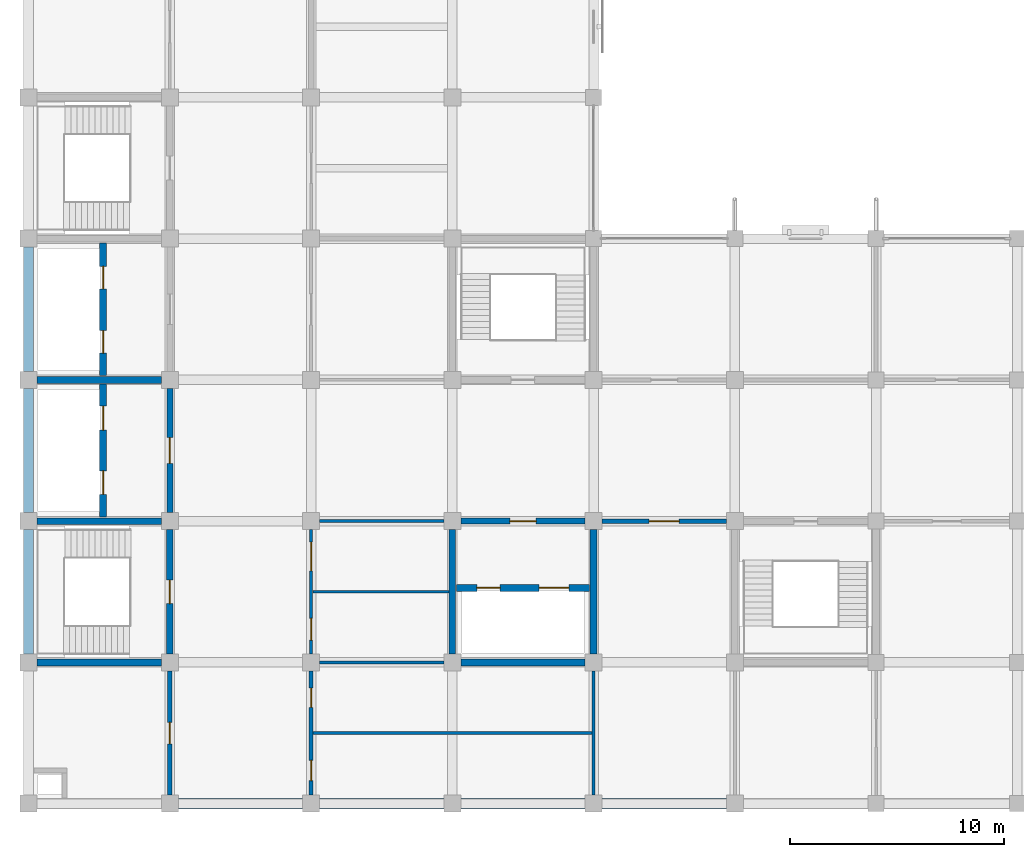
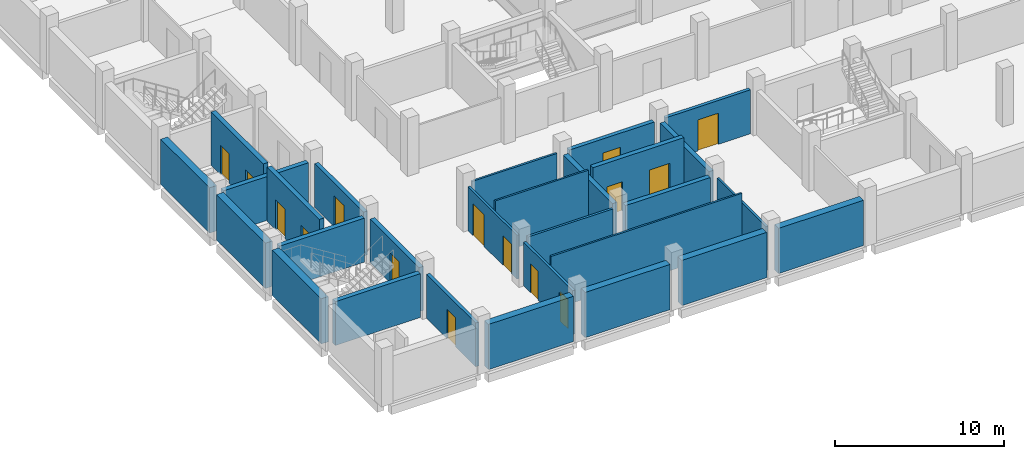
# One storey, part 10 of 18: 28 walls, 15 doors, 15 openings.
"""IFC4 building model written with IfcOpenShell, lengths in metres."""

from ifc_helpers import new_model, si_unit, direction, frame, frame_2d, origin, place, context, subcontext, project, spatial, rectangle, extrude, material, layer, layer_set, type_object, element, fill, save


model = new_model("IFC4")

# Units and contexts
model_context = context("Model", 3, precision=1e-05, world=origin(), true_north=direction((0.0, 1.0)))
body_context = subcontext(model_context, "Body", "Model", "MODEL_VIEW")
ifc_project = project(units=[si_unit("LENGTHUNIT", "METRE"), si_unit("AREAUNIT", "SQUARE_METRE"), si_unit("VOLUMEUNIT", "CUBIC_METRE"), si_unit("PLANEANGLEUNIT", "RADIAN"), si_unit("MASSUNIT", "GRAM", prefix="KILO")], contexts=[model_context])

# Site, building, storey
site_placement = place(None, origin())
site = spatial("IfcSite", under=ifc_project, at=site_placement, CompositionType="ELEMENT")
building_placement = place(site_placement, origin())
building = spatial("IfcBuilding", under=site, at=building_placement, Name="Rusizi Kubbe Research Institute", CompositionType="ELEMENT")
storey_placement = place(building_placement, frame((0.0, 0.0, 22.800048828125)))
storey = spatial("IfcBuildingStorey", under=building, at=storey_placement, Name="L05", CompositionType="ELEMENT", Elevation=22.800048828125)

# Walls
ifc_material_1 = material(Name="Concrete C45/55", Category="concrete")
ifc_layer_1 = layer(ifc_material_1, 0.31494140625)
ifc_layer_set_1 = layer_set([ifc_layer_1], Name="Concrete C45/55")
wall_type_1 = type_object("IfcWallType", Name="CRW-02", PredefinedType="SHEAR", material=ifc_layer_set_1)
for number, where, z_axis, x_axis, name in (
    (1, (0.39990234375, 6.60009765625, 0.0), (0.0, 0.0, 1.0), (1.0, 0.0, 0.0), "Stair Core Shear Wall ST1 L05 S"),
    (2, (0.39990234375, 13.199951171875, 0.0), (0.0, 0.0, 1.0), (1.0, 0.0, 0.0), "Stair Core Shear Wall ST1 L05 N"),
):
    element("IfcWall", number, at=place(storey_placement, frame(where, z_axis=z_axis, x_axis=x_axis)), inside=storey, type_object=wall_type_1, Name=name, PredefinedType="SHEAR", context=body_context, shape_type="SweptSolid", body=[
        extrude(rectangle(XDim=5.800048828125, YDim=0.31494140625, at=frame_2d((2.89990234375, 0.0))), origin(), (0.0, 0.0, 1.0), 3.169921875),
    ])

# Wall, opening, door
wall_1_placement = place(storey_placement, frame((6.60009765625, 7.0, 0.0), z_axis=(0.0, 0.0, 1.0), x_axis=(0.0, 1.0, 0.0)))
wall_1 = element("IfcWall", 3, at=wall_1_placement, inside=storey, type_object=wall_type_1, Name="Stair Core Shear Wall ST1 L05 E", PredefinedType="SHEAR", context=body_context, shape_type="SweptSolid", body=[
    extrude(rectangle(XDim=5.800048828125, YDim=0.31494140625, at=frame_2d((2.89990234375, 0.0))), origin(), (0.0, 0.0, 1.0), 3.169921875),
])
opening_1_placement = place(wall_1_placement, frame((2.35009765625, 0.0, 0.0)))
opening_1 = element("IfcOpeningElement", 4, at=opening_1_placement, cuts=wall_1, Name="Opening D-01", PredefinedType="OPENING", context=body_context, shape_type="SweptSolid", body=[
    extrude(rectangle(XDim=1.10009765625, YDim=2.14990234375, at=frame_2d((0.550048828125, 1.074951171875))), frame((0.0, 0.16748046875, 0.0), z_axis=(0.0, -1.0, 0.0), x_axis=(1.0, 0.0, 0.0)), (0.0, 0.0, 1.0), 0.3349609375),
])
ifc_material_2 = material(Name="Fire-Rated Steel Frame and Acoustic Timber Leaf", Category="wood")
door_type_1 = type_object("IfcDoorType", Name="ID-STAIR-110", OperationType="NOTDEFINED", PredefinedType="DOOR", material=ifc_material_2)
door_1_placement = place(opening_1_placement, origin())
door_1 = element("IfcDoor", 5, at=door_1_placement, inside=storey, type_object=door_type_1, Name="Exit Stair Door ST1 L05", OperationType="SINGLE_SWING_LEFT", OverallHeight=2.14990234375, OverallWidth=1.10009765625, PredefinedType="DOOR", context=body_context, shape_type="SweptSolid", body=[
    extrude(rectangle(XDim=1.10009765625, YDim=2.14990234375, at=frame_2d((0.550048828125, 1.074951171875))), frame((0.0, 0.02490234375, 0.0), z_axis=(0.0, -1.0, 0.0), x_axis=(1.0, 0.0, 0.0)), (0.0, 0.0, 1.0), 0.050048828125),
])
fill(opening_1, door_1)

# Walls
for number, where, z_axis, x_axis, name in (
    (6, (0.39990234375, 19.800048828125, 0.0), (0.0, 0.0, 1.0), (1.0, 0.0, 0.0), "Lift Core Divider Wall (0,2-3) L05"),
    (7, (20.199951171875, 6.60009765625, 0.0), (0.0, 0.0, 1.0), (1.0, 0.0, 0.0), "Lab Lift Core Wall S (3,1) L05"),
    (8, (19.800048828125, 7.0, 0.0), (0.0, 0.0, 1.0), (0.0, 1.0, 0.0), "Lab Lift Core Wall W (3,1) L05"),
    (9, (26.39990234375, 7.0, 0.0), (0.0, 0.0, 1.0), (0.0, 1.0, 0.0), "Lab Lift Core Wall E (3,1) L05"),
):
    element("IfcWall", number, at=place(storey_placement, frame(where, z_axis=z_axis, x_axis=x_axis)), inside=storey, type_object=wall_type_1, Name=name, PredefinedType="SHEAR", context=body_context, shape_type="SweptSolid", body=[
        extrude(rectangle(XDim=5.800048828125, YDim=0.31494140625, at=frame_2d((2.89990234375, 0.0))), origin(), (0.0, 0.0, 1.0), 3.169921875),
    ])

# Wall, openings, doors
wall_2_placement = place(storey_placement, frame((3.47998046875, 13.39990234375, 0.0), z_axis=(0.0, 0.0, 1.0), x_axis=(0.0, 1.0, 0.0)))
wall_2 = element("IfcWall", 10, at=wall_2_placement, inside=storey, type_object=wall_type_1, Name="Firefighting Lift Shaft Front Wall L05", PredefinedType="SHEAR", context=body_context, shape_type="SweptSolid", body=[
    extrude(rectangle(XDim=6.2001953125, YDim=0.31494140625, at=frame_2d((3.10009765625, 0.0))), origin(), (0.0, 0.0, 1.0), 3.869873046875),
])
opening_2_placement = place(wall_2_placement, frame((1.050048828125, 0.0, 0.0)))
opening_2 = element("IfcOpeningElement", 11, at=opening_2_placement, cuts=wall_2, Name="Opening LD-01", PredefinedType="OPENING", context=body_context, shape_type="SweptSolid", body=[
    extrude(rectangle(XDim=1.10009765625, YDim=2.14990234375, at=frame_2d((0.550048828125, 1.074951171875))), frame((0.0, 0.16748046875, 0.0), z_axis=(0.0, -1.0, 0.0), x_axis=(1.0, 0.0, 0.0)), (0.0, 0.0, 1.0), 0.3349609375),
])
opening_3_placement = place(wall_2_placement, frame((4.050048828125, 0.0, 0.0)))
opening_3 = element("IfcOpeningElement", 12, at=opening_3_placement, cuts=wall_2, Name="Opening LD-02", PredefinedType="OPENING", context=body_context, shape_type="SweptSolid", body=[
    extrude(rectangle(XDim=1.1201171875, YDim=2.14990234375, at=frame_2d((0.56005859375, 1.074951171875))), frame((0.0, 0.16748046875, 0.0), z_axis=(0.0, -1.0, 0.0), x_axis=(1.0, 0.0, 0.0)), (0.0, 0.0, 1.0), 0.3349609375),
])
ifc_material_3 = material(Name="Brushed Stainless Steel Sliding Door", Category="steel")
door_type_2 = type_object("IfcDoorType", Name="LD-01", OperationType="DOUBLE_DOOR_SLIDING", PredefinedType="USERDEFINED", material=ifc_material_3)
door_2_placement = place(opening_2_placement, origin())
door_2 = element("IfcDoor", 13, at=door_2_placement, inside=storey, type_object=door_type_2, Name="Lift Landing Sliding Door FL1 L05", ObjectType="SLIDING DOOR", OperationType="DOUBLE_DOOR_SLIDING", OverallHeight=2.14990234375, OverallWidth=1.10009765625, PredefinedType="USERDEFINED", context=body_context, shape_type="SweptSolid", body=[
    extrude(rectangle(XDim=1.10009765625, YDim=2.14990234375, at=frame_2d((0.550048828125, 1.074951171875))), frame((0.0, 0.02490234375, 0.0), z_axis=(0.0, -1.0, 0.0), x_axis=(1.0, 0.0, 0.0)), (0.0, 0.0, 1.0), 0.050048828125),
])
fill(opening_2, door_2)
ifc_material_4 = material(Name="Brushed Stainless Steel Sliding Door", Category="steel")
door_type_3 = type_object("IfcDoorType", Name="LD-02", OperationType="DOUBLE_DOOR_SLIDING", PredefinedType="USERDEFINED", material=ifc_material_4)
door_3_placement = place(opening_3_placement, origin())
door_3 = element("IfcDoor", 14, at=door_3_placement, inside=storey, type_object=door_type_3, Name="Lift Landing Sliding Door FL2 L05", ObjectType="SLIDING DOOR", OperationType="DOUBLE_DOOR_SLIDING", OverallHeight=2.14990234375, OverallWidth=1.1201171875, PredefinedType="USERDEFINED", context=body_context, shape_type="SweptSolid", body=[
    extrude(rectangle(XDim=1.1201171875, YDim=2.14990234375, at=frame_2d((0.56005859375, 1.074951171875))), frame((0.0, 0.02490234375, 0.0), z_axis=(0.0, -1.0, 0.0), x_axis=(1.0, 0.0, 0.0)), (0.0, 0.0, 1.0), 0.050048828125),
])
fill(opening_3, door_3)

wall_3_placement = place(storey_placement, frame((3.47998046875, 20.0, 0.0), z_axis=(0.0, 0.0, 1.0), x_axis=(0.0, 1.0, 0.0)))
wall_3 = element("IfcWall", 15, at=wall_3_placement, inside=storey, type_object=wall_type_1, Name="Passenger Lift Shaft Front Wall L05", PredefinedType="SHEAR", context=body_context, shape_type="SweptSolid", body=[
    extrude(rectangle(XDim=6.199951171875, YDim=0.31494140625, at=frame_2d((3.10009765625, 0.0))), origin(), (0.0, 0.0, 1.0), 3.869873046875),
])
opening_4_placement = place(wall_3_placement, frame((1.050048828125, 0.0, 0.0)))
opening_4 = element("IfcOpeningElement", 16, at=opening_4_placement, cuts=wall_3, Name="Opening LD-03", PredefinedType="OPENING", context=body_context, shape_type="SweptSolid", body=[
    extrude(rectangle(XDim=1.050048828125, YDim=2.14990234375, at=frame_2d((0.52490234375, 1.074951171875))), frame((0.0, 0.16748046875, 0.0), z_axis=(0.0, -1.0, 0.0), x_axis=(1.0, 0.0, 0.0)), (0.0, 0.0, 1.0), 0.3349609375),
])
opening_5_placement = place(wall_3_placement, frame((4.050048828125, 0.0, 0.0)))
opening_5 = element("IfcOpeningElement", 17, at=opening_5_placement, cuts=wall_3, Name="Opening LD-04", PredefinedType="OPENING", context=body_context, shape_type="SweptSolid", body=[
    extrude(rectangle(XDim=1.06005859375, YDim=2.14990234375, at=frame_2d((0.530029296875, 1.074951171875))), frame((0.0, 0.16748046875, 0.0), z_axis=(0.0, -1.0, 0.0), x_axis=(1.0, 0.0, 0.0)), (0.0, 0.0, 1.0), 0.3349609375),
])
ifc_material_5 = material(Name="Brushed Stainless Steel Sliding Door", Category="steel")
door_type_4 = type_object("IfcDoorType", Name="LD-03", OperationType="DOUBLE_DOOR_SLIDING", PredefinedType="USERDEFINED", material=ifc_material_5)
door_4_placement = place(opening_4_placement, origin())
door_4 = element("IfcDoor", 18, at=door_4_placement, inside=storey, type_object=door_type_4, Name="Lift Landing Sliding Door LP1 L05", ObjectType="SLIDING DOOR", OperationType="DOUBLE_DOOR_SLIDING", OverallHeight=2.14990234375, OverallWidth=1.050048828125, PredefinedType="USERDEFINED", context=body_context, shape_type="SweptSolid", body=[
    extrude(rectangle(XDim=1.050048828125, YDim=2.14990234375, at=frame_2d((0.52490234375, 1.074951171875))), frame((0.0, 0.02490234375, 0.0), z_axis=(0.0, -1.0, 0.0), x_axis=(1.0, 0.0, 0.0)), (0.0, 0.0, 1.0), 0.050048828125),
])
fill(opening_4, door_4)
ifc_material_6 = material(Name="Brushed Stainless Steel Sliding Door", Category="steel")
door_type_5 = type_object("IfcDoorType", Name="LD-04", OperationType="DOUBLE_DOOR_SLIDING", PredefinedType="USERDEFINED", material=ifc_material_6)
door_5_placement = place(opening_5_placement, origin())
door_5 = element("IfcDoor", 19, at=door_5_placement, inside=storey, type_object=door_type_5, Name="Lift Landing Sliding Door LP2 L05", ObjectType="SLIDING DOOR", OperationType="DOUBLE_DOOR_SLIDING", OverallHeight=2.14990234375, OverallWidth=1.06005859375, PredefinedType="USERDEFINED", context=body_context, shape_type="SweptSolid", body=[
    extrude(rectangle(XDim=1.06005859375, YDim=2.14990234375, at=frame_2d((0.530029296875, 1.074951171875))), frame((0.0, 0.02490234375, 0.0), z_axis=(0.0, -1.0, 0.0), x_axis=(1.0, 0.0, 0.0)), (0.0, 0.0, 1.0), 0.050048828125),
])
fill(opening_5, door_5)

wall_4_placement = place(storey_placement, frame((20.0, 10.080078125, 0.0), z_axis=(0.0, 0.0, 1.0), x_axis=(1.0, 0.0, 0.0)))
wall_4 = element("IfcWall", 20, at=wall_4_placement, inside=storey, type_object=wall_type_1, Name="Goods Lift Shaft Front Wall L05", PredefinedType="SHEAR", context=body_context, shape_type="SweptSolid", body=[
    extrude(rectangle(XDim=6.199951171875, YDim=0.31494140625, at=frame_2d((3.10009765625, 0.0))), origin(), (0.0, 0.0, 1.0), 3.869873046875),
])
opening_6_placement = place(wall_4_placement, frame((0.949951171875, 0.0, 0.0)))
opening_6 = element("IfcOpeningElement", 21, at=opening_6_placement, cuts=wall_4, Name="Opening LD-05", PredefinedType="OPENING", context=body_context, shape_type="SweptSolid", body=[
    extrude(rectangle(XDim=1.080078125, YDim=2.14990234375, at=frame_2d((0.5400390625, 1.074951171875))), frame((0.0, 0.16748046875, 0.0), z_axis=(0.0, -1.0, 0.0), x_axis=(1.0, 0.0, 0.0)), (0.0, 0.0, 1.0), 0.3349609375),
])
opening_7_placement = place(wall_4_placement, frame((3.85009765625, 0.0, 0.0)))
opening_7 = element("IfcOpeningElement", 22, at=opening_7_placement, cuts=wall_4, Name="Opening LD-06", PredefinedType="OPENING", context=body_context, shape_type="SweptSolid", body=[
    extrude(rectangle(XDim=1.39990234375, YDim=2.35009765625, at=frame_2d((0.699951171875, 1.175048828125))), frame((0.0, 0.16748046875, 0.0), z_axis=(0.0, -1.0, 0.0), x_axis=(1.0, 0.0, 0.0)), (0.0, 0.0, 1.0), 0.3349609375),
])
ifc_material_7 = material(Name="Brushed Stainless Steel Sliding Door", Category="steel")
door_type_6 = type_object("IfcDoorType", Name="LD-05", OperationType="DOUBLE_DOOR_SLIDING", PredefinedType="USERDEFINED", material=ifc_material_7)
door_6_placement = place(opening_6_placement, origin())
door_6 = element("IfcDoor", 23, at=door_6_placement, inside=storey, type_object=door_type_6, Name="Lift Landing Sliding Door LP3 L05", ObjectType="SLIDING DOOR", OperationType="DOUBLE_DOOR_SLIDING", OverallHeight=2.14990234375, OverallWidth=1.080078125, PredefinedType="USERDEFINED", context=body_context, shape_type="SweptSolid", body=[
    extrude(rectangle(XDim=1.080078125, YDim=2.14990234375, at=frame_2d((0.5400390625, 1.074951171875))), frame((0.0, 0.02490234375, 0.0), z_axis=(0.0, -1.0, 0.0), x_axis=(1.0, 0.0, 0.0)), (0.0, 0.0, 1.0), 0.050048828125),
])
fill(opening_6, door_6)
ifc_material_8 = material(Name="Brushed Stainless Steel Sliding Door", Category="steel")
door_type_7 = type_object("IfcDoorType", Name="LD-06", OperationType="DOUBLE_DOOR_SLIDING", PredefinedType="USERDEFINED", material=ifc_material_8)
door_7_placement = place(opening_7_placement, origin())
door_7 = element("IfcDoor", 24, at=door_7_placement, inside=storey, type_object=door_type_7, Name="Lift Landing Sliding Door LG1 L05", ObjectType="SLIDING DOOR", OperationType="DOUBLE_DOOR_SLIDING", OverallHeight=2.35009765625, OverallWidth=1.39990234375, PredefinedType="USERDEFINED", context=body_context, shape_type="SweptSolid", body=[
    extrude(rectangle(XDim=1.39990234375, YDim=2.35009765625, at=frame_2d((0.699951171875, 1.175048828125))), frame((0.0, 0.02490234375, 0.0), z_axis=(0.0, -1.0, 0.0), x_axis=(1.0, 0.0, 0.0)), (0.0, 0.0, 1.0), 0.050048828125),
])
fill(opening_7, door_7)

# Wall, opening, door
ifc_material_9 = material(Name="Concrete Blockwork Fire Partition", Category="masonry")
ifc_layer_2 = layer(ifc_material_9, 0.22509765625)
ifc_layer_set_2 = layer_set([ifc_layer_2], Name="Concrete Blockwork Fire Partition")
wall_type_2 = type_object("IfcWallType", Name="IW-01", PredefinedType="PARTITIONING", material=ifc_layer_set_2)
wall_5_placement = place(storey_placement, frame((6.60009765625, 0.39990234375, 0.0), z_axis=(0.0, 0.0, 1.0), x_axis=(0.0, 1.0, 0.0)))
wall_5 = element("IfcWall", 25, at=wall_5_placement, inside=storey, type_object=wall_type_2, Name="Interior Partition Wall L05 V1-0", PredefinedType="PARTITIONING", context=body_context, shape_type="SweptSolid", body=[
    extrude(rectangle(XDim=5.800048828125, YDim=0.22509765625, at=frame_2d((2.89990234375, 0.0))), origin(), (0.0, 0.0, 1.0), 3.169921875),
])
opening_8_placement = place(wall_5_placement, frame((2.39990234375, 0.0, 0.0)))
opening_8 = element("IfcOpeningElement", 26, at=opening_8_placement, cuts=wall_5, Name="Opening D-04", PredefinedType="OPENING", context=body_context, shape_type="SweptSolid", body=[
    extrude(rectangle(XDim=1.0, YDim=2.10009765625, at=frame_2d((0.5, 1.050048828125))), frame((0.0, 0.12255859375, 0.0), z_axis=(0.0, -1.0, 0.0), x_axis=(1.0, 0.0, 0.0)), (0.0, 0.0, 1.0), 0.2451171875),
])
ifc_material_10 = material(Name="Fire-Rated Steel Frame and Acoustic Timber Leaf", Category="wood")
door_type_8 = type_object("IfcDoorType", Name="ID-MEP-100", OperationType="NOTDEFINED", PredefinedType="DOOR", material=ifc_material_10)
door_8_placement = place(opening_8_placement, origin())
door_8 = element("IfcDoor", 27, at=door_8_placement, inside=storey, type_object=door_type_8, Name="Door to Service Spine Utility Riser Room (L05-MEP-01)", OperationType="SINGLE_SWING_RIGHT", OverallHeight=2.10009765625, OverallWidth=1.0, PredefinedType="DOOR", context=body_context, shape_type="SweptSolid", body=[
    extrude(rectangle(XDim=1.0, YDim=2.10009765625, at=frame_2d((0.5, 1.050048828125))), frame((0.0, 0.02490234375, 0.0), z_axis=(0.0, -1.0, 0.0), x_axis=(1.0, 0.0, 0.0)), (0.0, 0.0, 1.0), 0.050048828125),
])
fill(opening_8, door_8)

wall_6_placement = place(storey_placement, frame((26.800048828125, 13.199951171875, 0.0), z_axis=(0.0, 0.0, 1.0), x_axis=(1.0, 0.0, 0.0)))
wall_6 = element("IfcWall", 28, at=wall_6_placement, inside=storey, type_object=wall_type_2, Name="Interior Partition Wall L05 H4-2", PredefinedType="PARTITIONING", context=body_context, shape_type="SweptSolid", body=[
    extrude(rectangle(XDim=5.800048828125, YDim=0.22509765625, at=frame_2d((2.89990234375, 0.0))), origin(), (0.0, 0.0, 1.0), 3.169921875),
])
opening_9_placement = place(wall_6_placement, frame((2.199951171875, 0.0, 0.0)))
opening_9 = element("IfcOpeningElement", 29, at=opening_9_placement, cuts=wall_6, Name="Opening D-12", PredefinedType="OPENING", context=body_context, shape_type="SweptSolid", body=[
    extrude(rectangle(XDim=1.39990234375, YDim=2.25, at=frame_2d((0.699951171875, 1.125))), frame((0.0, 0.12255859375, 0.0), z_axis=(0.0, -1.0, 0.0), x_axis=(1.0, 0.0, 0.0)), (0.0, 0.0, 1.0), 0.2451171875),
])
ifc_material_11 = material(Name="Fire-Rated Steel Frame and Acoustic Timber Leaf", Category="wood")
door_type_9 = type_object("IfcDoorType", Name="ID-LAB-140", OperationType="NOTDEFINED", PredefinedType="DOOR", material=ifc_material_11)
door_9_placement = place(opening_9_placement, origin())
door_9 = element("IfcDoor", 30, at=door_9_placement, inside=storey, type_object=door_type_9, Name="Door to Clean Room Process Suite (L05-EWS-01)", OperationType="SINGLE_SWING_RIGHT", OverallHeight=2.25, OverallWidth=1.39990234375, PredefinedType="DOOR", context=body_context, shape_type="SweptSolid", body=[
    extrude(rectangle(XDim=1.39990234375, YDim=2.25, at=frame_2d((0.699951171875, 1.125))), frame((0.0, 0.02490234375, 0.0), z_axis=(0.0, -1.0, 0.0), x_axis=(1.0, 0.0, 0.0)), (0.0, 0.0, 1.0), 0.050048828125),
])
fill(opening_9, door_9)

# Wall, openings, doors
ifc_material_12 = material(Name="Acoustic Laboratory Partition", Category="masonry")
ifc_layer_3 = layer(ifc_material_12, 0.175048828125)
ifc_layer_set_3 = layer_set([ifc_layer_3], Name="Acoustic Laboratory Partition")
wall_type_3 = type_object("IfcWallType", Name="IW-03", PredefinedType="PARTITIONING", material=ifc_layer_set_3)
wall_7_placement = place(storey_placement, frame((13.199951171875, 0.39990234375, 0.0), z_axis=(0.0, 0.0, 1.0), x_axis=(0.0, 1.0, 0.0)))
wall_7 = element("IfcWall", 31, at=wall_7_placement, inside=storey, type_object=wall_type_3, Name="Sanitary Core West Corridor Wall L05", PredefinedType="PARTITIONING", context=body_context, shape_type="SweptSolid", body=[
    extrude(rectangle(XDim=5.800048828125, YDim=0.175048828125, at=frame_2d((2.89990234375, 0.0))), origin(), (0.0, 0.0, 1.0), 3.169921875),
])
opening_10_placement = place(wall_7_placement, frame((0.675048828125, 0.0, 0.0)))
opening_10 = element("IfcOpeningElement", 32, at=opening_10_placement, cuts=wall_7, Name="Opening D-06", PredefinedType="OPENING", context=body_context, shape_type="SweptSolid", body=[
    extrude(rectangle(XDim=0.949951171875, YDim=2.10009765625, at=frame_2d((0.47509765625, 1.050048828125))), frame((0.0, 0.097412109375, 0.0), z_axis=(0.0, -1.0, 0.0), x_axis=(1.0, 0.0, 0.0)), (0.0, 0.0, 1.0), 0.195068359375),
])
opening_11_placement = place(wall_7_placement, frame((4.10009765625, 0.0, 0.0)))
opening_11 = element("IfcOpeningElement", 33, at=opening_11_placement, cuts=wall_7, Name="Opening D-05", PredefinedType="OPENING", context=body_context, shape_type="SweptSolid", body=[
    extrude(rectangle(XDim=0.89990234375, YDim=2.10009765625, at=frame_2d((0.449951171875, 1.050048828125))), frame((0.0, 0.097412109375, 0.0), z_axis=(0.0, -1.0, 0.0), x_axis=(1.0, 0.0, 0.0)), (0.0, 0.0, 1.0), 0.195068359375),
])
ifc_material_13 = material(Name="Fire-Rated Steel Frame and Acoustic Timber Leaf", Category="wood")
door_type_10 = type_object("IfcDoorType", Name="ID-WC-900", OperationType="NOTDEFINED", PredefinedType="DOOR", material=ifc_material_13)
door_10_placement = place(opening_11_placement, origin())
door_10 = element("IfcDoor", 34, at=door_10_placement, inside=storey, type_object=door_type_10, Name="Door to Female Toilet Room (L05-WC-F)", OperationType="SINGLE_SWING_LEFT", OverallHeight=2.10009765625, OverallWidth=0.89990234375, PredefinedType="DOOR", context=body_context, shape_type="SweptSolid", body=[
    extrude(rectangle(XDim=0.89990234375, YDim=2.10009765625, at=frame_2d((0.449951171875, 1.050048828125))), frame((0.0, 0.02490234375, 0.0), z_axis=(0.0, -1.0, 0.0), x_axis=(1.0, 0.0, 0.0)), (0.0, 0.0, 1.0), 0.050048828125),
])
fill(opening_11, door_10)
ifc_material_14 = material(Name="Fire-Rated Steel Frame and Acoustic Timber Leaf", Category="wood")
door_type_11 = type_object("IfcDoorType", Name="ID-WC-950", OperationType="NOTDEFINED", PredefinedType="DOOR", material=ifc_material_14)
door_11_placement = place(opening_10_placement, origin())
door_11 = element("IfcDoor", 35, at=door_11_placement, inside=storey, type_object=door_type_11, Name="Door to Male Toilet Room (L05-WC-M)", OperationType="SINGLE_SWING_RIGHT", OverallHeight=2.10009765625, OverallWidth=0.949951171875, PredefinedType="DOOR", context=body_context, shape_type="SweptSolid", body=[
    extrude(rectangle(XDim=0.949951171875, YDim=2.10009765625, at=frame_2d((0.47509765625, 1.050048828125))), frame((0.0, 0.02490234375, 0.0), z_axis=(0.0, -1.0, 0.0), x_axis=(1.0, 0.0, 0.0)), (0.0, 0.0, 1.0), 0.050048828125),
])
fill(opening_10, door_11)

# Wall
ifc_material_15 = material(Name="Fire-Rated Corridor Partition", Category="masonry")
ifc_layer_4 = layer(ifc_material_15, 0.155029296875)
ifc_layer_set_4 = layer_set([ifc_layer_4], Name="Fire-Rated Corridor Partition")
wall_type_4 = type_object("IfcWallType", Name="IW-04", PredefinedType="PARTITIONING", material=ifc_layer_set_4)
wall_8_placement = place(storey_placement, frame((13.60009765625, 6.60009765625, 0.0), z_axis=(0.0, 0.0, 1.0), x_axis=(1.0, 0.0, 0.0)))
element("IfcWall", 36, at=wall_8_placement, inside=storey, type_object=wall_type_4, Name="Sanitary Core North Divider Wall L05", PredefinedType="PARTITIONING", context=body_context, shape_type="SweptSolid", body=[
    extrude(rectangle(XDim=5.7998046875, YDim=0.155029296875, at=frame_2d((2.89990234375, 0.0))), origin(), (0.0, 0.0, 1.0), 3.169921875),
])

# Wall, openings, doors
wall_9_placement = place(storey_placement, frame((13.199951171875, 7.0, 0.0), z_axis=(0.0, 0.0, 1.0), x_axis=(0.0, 1.0, 0.0)))
wall_9 = element("IfcWall", 37, at=wall_9_placement, inside=storey, type_object=wall_type_4, Name="Accessible WC and Store West Wall L05", PredefinedType="PARTITIONING", context=body_context, shape_type="SweptSolid", body=[
    extrude(rectangle(XDim=5.800048828125, YDim=0.155029296875, at=frame_2d((2.89990234375, 0.0))), origin(), (0.0, 0.0, 1.0), 3.169921875),
])
opening_12_placement = place(wall_9_placement, frame((0.639892578125, 0.0, 0.0)))
opening_12 = element("IfcOpeningElement", 38, at=opening_12_placement, cuts=wall_9, Name="Opening D-07", PredefinedType="OPENING", context=body_context, shape_type="SweptSolid", body=[
    extrude(rectangle(XDim=1.02001953125, YDim=2.14990234375, at=frame_2d((0.510009765625, 1.074951171875))), frame((0.0, 0.08740234375, 0.0), z_axis=(0.0, -1.0, 0.0), x_axis=(1.0, 0.0, 0.0)), (0.0, 0.0, 1.0), 0.175048828125),
])
opening_13_placement = place(wall_9_placement, frame((3.875, 0.0, 0.0)))
opening_13 = element("IfcOpeningElement", 39, at=opening_13_placement, cuts=wall_9, Name="Opening D-13", PredefinedType="OPENING", context=body_context, shape_type="SweptSolid", body=[
    extrude(rectangle(XDim=1.35009765625, YDim=2.300048828125, at=frame_2d((0.675048828125, 1.14990234375))), frame((0.0, 0.08740234375, 0.0), z_axis=(0.0, -1.0, 0.0), x_axis=(1.0, 0.0, 0.0)), (0.0, 0.0, 1.0), 0.175048828125),
])
ifc_material_16 = material(Name="Fire-Rated Steel Frame and Acoustic Timber Leaf", Category="wood")
door_type_12 = type_object("IfcDoorType", Name="ID-LAB-135", OperationType="NOTDEFINED", PredefinedType="DOOR", material=ifc_material_16)
door_12_placement = place(opening_13_placement, origin())
door_12 = element("IfcDoor", 40, at=door_12_placement, inside=storey, type_object=door_type_12, Name="Door to Laboratory Reagent Store (L05-STR-01)", OperationType="SINGLE_SWING_LEFT", OverallHeight=2.300048828125, OverallWidth=1.35009765625, PredefinedType="DOOR", context=body_context, shape_type="SweptSolid", body=[
    extrude(rectangle(XDim=1.35009765625, YDim=2.300048828125, at=frame_2d((0.675048828125, 1.14990234375))), frame((0.0, 0.02490234375, 0.0), z_axis=(0.0, -1.0, 0.0), x_axis=(1.0, 0.0, 0.0)), (0.0, 0.0, 1.0), 0.050048828125),
])
fill(opening_13, door_12)
ifc_material_17 = material(Name="Fire-Rated Steel Frame and Acoustic Timber Leaf", Category="wood")
door_type_13 = type_object("IfcDoorType", Name="ID-WC-ACC", OperationType="NOTDEFINED", PredefinedType="DOOR", material=ifc_material_17)
door_13_placement = place(opening_12_placement, origin())
door_13 = element("IfcDoor", 41, at=door_13_placement, inside=storey, type_object=door_type_13, Name="Door to Accessible Toilet Room (L05-WC-ACC)", OperationType="SINGLE_SWING_LEFT", OverallHeight=2.14990234375, OverallWidth=1.02001953125, PredefinedType="DOOR", context=body_context, shape_type="SweptSolid", body=[
    extrude(rectangle(XDim=1.02001953125, YDim=2.14990234375, at=frame_2d((0.510009765625, 1.074951171875))), frame((0.0, 0.02490234375, 0.0), z_axis=(0.0, -1.0, 0.0), x_axis=(1.0, 0.0, 0.0)), (0.0, 0.0, 1.0), 0.050048828125),
])
fill(opening_12, door_13)

# Walls
ifc_material_18 = material(Name="Write-up Glazed Acoustic Partition", Category="masonry")
ifc_layer_5 = layer(ifc_material_18, 0.139892578125)
ifc_layer_set_5 = layer_set([ifc_layer_5], Name="Write-up Glazed Acoustic Partition")
wall_type_5 = type_object("IfcWallType", Name="IW-05", PredefinedType="PARTITIONING", material=ifc_layer_set_5)
wall_10_placement = place(storey_placement, frame((26.39990234375, 0.39990234375, 0.0), z_axis=(0.0, 0.0, 1.0), x_axis=(0.0, 1.0, 0.0)))
element("IfcWall", 42, at=wall_10_placement, inside=storey, type_object=wall_type_5, Name="Sanitary Core East Enclosing Wall L05", PredefinedType="PARTITIONING", context=body_context, shape_type="SweptSolid", body=[
    extrude(rectangle(XDim=5.800048828125, YDim=0.139892578125, at=frame_2d((2.89990234375, 0.0))), origin(), (0.0, 0.0, 1.0), 3.169921875),
])
wall_11_placement = place(storey_placement, frame((13.60009765625, 13.199951171875, 0.0), z_axis=(0.0, 0.0, 1.0), x_axis=(1.0, 0.0, 0.0)))
element("IfcWall", 43, at=wall_11_placement, inside=storey, type_object=wall_type_5, Name="Reagent Store North Corridor Wall L05", PredefinedType="PARTITIONING", context=body_context, shape_type="SweptSolid", body=[
    extrude(rectangle(XDim=5.7998046875, YDim=0.139892578125, at=frame_2d((2.89990234375, 0.0))), origin(), (0.0, 0.0, 1.0), 3.169921875),
])
ifc_material_19 = material(Name="Sanitary Wet-Wall Partition", Category="masonry")
ifc_layer_6 = layer(ifc_material_19, 0.125)
ifc_layer_set_6 = layer_set([ifc_layer_6], Name="Sanitary Wet-Wall Partition")
wall_type_6 = type_object("IfcWallType", Name="IW-06", PredefinedType="PARTITIONING", material=ifc_layer_set_6)
wall_12_placement = place(storey_placement, frame((13.29248046875, 3.300048828125, 0.0), z_axis=(0.0, 0.0, 1.0), x_axis=(1.0, 0.0, 0.0)))
element("IfcWall", 44, at=wall_12_placement, inside=storey, type_object=wall_type_6, Name="Sanitary Divider Wall L05-1", PredefinedType="PARTITIONING", context=body_context, shape_type="SweptSolid", body=[
    extrude(rectangle(XDim=13.032470703125, YDim=0.125, at=frame_2d((6.51611328125, 0.0))), origin(), (0.0, 0.0, 1.0), 3.869873046875),
])
wall_13_placement = place(storey_placement, frame((13.282470703125, 9.89990234375, 0.0), z_axis=(0.0, 0.0, 1.0), x_axis=(1.0, 0.0, 0.0)))
element("IfcWall", 45, at=wall_13_placement, inside=storey, type_object=wall_type_6, Name="Sanitary Divider Wall L05-2", PredefinedType="PARTITIONING", context=body_context, shape_type="SweptSolid", body=[
    extrude(rectangle(XDim=6.35498046875, YDim=0.125, at=frame_2d((3.177490234375, 0.0))), origin(), (0.0, 0.0, 1.0), 3.869873046875),
])
ifc_material_20 = material(Name="Concrete C40/50", Category="concrete")
ifc_layer_7 = layer(ifc_material_20, 0.47998046875)
ifc_layer_set_7 = layer_set([ifc_layer_7], Name="Concrete C40/50")
wall_type_7 = type_object("IfcWallType", Name="PW-01", PredefinedType="SOLIDWALL", material=ifc_layer_set_7)
wall_14_placement = place(storey_placement, frame((0.0, 7.0, 0.0), z_axis=(0.0, 0.0, 1.0), x_axis=(0.0, 1.0, 0.0)))
element("IfcWall", 46, at=wall_14_placement, inside=storey, type_object=wall_type_7, Name="Blind Party Wall L05 V0-1", PredefinedType="SOLIDWALL", context=body_context, shape_type="SweptSolid", body=[
    extrude(rectangle(XDim=5.800048828125, YDim=0.47998046875, at=frame_2d((2.89990234375, 0.0))), origin(), (0.0, 0.0, 1.0), 3.27001953125),
])
wall_15_placement = place(storey_placement, frame((0.0, 13.60009765625, 0.0), z_axis=(0.0, 0.0, 1.0), x_axis=(0.0, 1.0, 0.0)))
element("IfcWall", 47, at=wall_15_placement, inside=storey, type_object=wall_type_7, Name="Blind Party Wall L05 V0-2", PredefinedType="SOLIDWALL", context=body_context, shape_type="SweptSolid", body=[
    extrude(rectangle(XDim=5.7998046875, YDim=0.47998046875, at=frame_2d((2.89990234375, 0.0))), origin(), (0.0, 0.0, 1.0), 3.27001953125),
])
for number, where, z_axis, x_axis, name in (
    (48, (0.0, 20.199951171875, 0.0), (0.0, 0.0, 1.0), (0.0, 1.0, 0.0), "Blind Party Wall L05 V0-3"),
    (49, (7.0, 0.0, 0.0), (0.0, 0.0, 1.0), (1.0, 0.0, 0.0), "Blind Party Wall L05 H1-0"),
):
    element("IfcWall", number, at=place(storey_placement, frame(where, z_axis=z_axis, x_axis=x_axis)), inside=storey, type_object=wall_type_7, Name=name, PredefinedType="SOLIDWALL", context=body_context, shape_type="SweptSolid", body=[
        extrude(rectangle(XDim=5.800048828125, YDim=0.47998046875, at=frame_2d((2.89990234375, 0.0))), origin(), (0.0, 0.0, 1.0), 3.27001953125),
    ])
wall_16_placement = place(storey_placement, frame((13.60009765625, 0.0, 0.0), z_axis=(0.0, 0.0, 1.0), x_axis=(1.0, 0.0, 0.0)))
element("IfcWall", 50, at=wall_16_placement, inside=storey, type_object=wall_type_7, Name="Blind Party Wall L05 H2-0", PredefinedType="SOLIDWALL", context=body_context, shape_type="SweptSolid", body=[
    extrude(rectangle(XDim=5.7998046875, YDim=0.47998046875, at=frame_2d((2.89990234375, 0.0))), origin(), (0.0, 0.0, 1.0), 3.27001953125),
])
for number, where, z_axis, x_axis, name in (
    (51, (20.199951171875, 0.0, 0.0), (0.0, 0.0, 1.0), (1.0, 0.0, 0.0), "Blind Party Wall L05 H3-0"),
    (52, (26.800048828125, 0.0, 0.0), (0.0, 0.0, 1.0), (1.0, 0.0, 0.0), "Blind Party Wall L05 H4-0"),
):
    element("IfcWall", number, at=place(storey_placement, frame(where, z_axis=z_axis, x_axis=x_axis)), inside=storey, type_object=wall_type_7, Name=name, PredefinedType="SOLIDWALL", context=body_context, shape_type="SweptSolid", body=[
        extrude(rectangle(XDim=5.800048828125, YDim=0.47998046875, at=frame_2d((2.89990234375, 0.0))), origin(), (0.0, 0.0, 1.0), 3.27001953125),
    ])

# Wall, opening, door
ifc_material_21 = material(Name="Concrete C40/50", Category="concrete")
ifc_layer_8 = layer(ifc_material_21, 0.27490234375)
ifc_layer_set_8 = layer_set([ifc_layer_8], Name="Concrete C40/50")
wall_type_8 = type_object("IfcWallType", Name="SHW-01", PredefinedType="SHEAR", material=ifc_layer_set_8)
wall_17_placement = place(storey_placement, frame((6.60009765625, 13.60009765625, 0.0), z_axis=(0.0, 0.0, 1.0), x_axis=(0.0, 1.0, 0.0)))
wall_17 = element("IfcWall", 53, at=wall_17_placement, inside=storey, type_object=wall_type_8, Name="Firefighting Lobby Wall L05", PredefinedType="SHEAR", context=body_context, shape_type="SweptSolid", body=[
    extrude(rectangle(XDim=5.7998046875, YDim=0.27490234375, at=frame_2d((2.89990234375, 0.0))), origin(), (0.0, 0.0, 1.0), 3.169921875),
])
opening_14_placement = place(wall_17_placement, frame((2.300048828125, 0.0, 0.0)))
opening_14 = element("IfcOpeningElement", 54, at=opening_14_placement, cuts=wall_17, Name="Opening D-03", PredefinedType="OPENING", context=body_context, shape_type="SweptSolid", body=[
    extrude(rectangle(XDim=1.199951171875, YDim=2.25, at=frame_2d((0.60009765625, 1.125))), frame((0.0, 0.1474609375, 0.0), z_axis=(0.0, -1.0, 0.0), x_axis=(1.0, 0.0, 0.0)), (0.0, 0.0, 1.0), 0.294921875),
])
ifc_material_22 = material(Name="Fire-Rated Steel Frame and Acoustic Timber Leaf", Category="wood")
door_type_14 = type_object("IfcDoorType", Name="ID-FF-120", OperationType="NOTDEFINED", PredefinedType="DOOR", material=ifc_material_22)
door_14_placement = place(opening_14_placement, origin())
door_14 = element("IfcDoor", 55, at=door_14_placement, inside=storey, type_object=door_type_14, Name="Door to Firefighting Lift Lobby (L05-FFL-01)", OperationType="SINGLE_SWING_LEFT", OverallHeight=2.25, OverallWidth=1.199951171875, PredefinedType="DOOR", context=body_context, shape_type="SweptSolid", body=[
    extrude(rectangle(XDim=1.199951171875, YDim=2.25, at=frame_2d((0.60009765625, 1.125))), frame((0.0, 0.02490234375, 0.0), z_axis=(0.0, -1.0, 0.0), x_axis=(1.0, 0.0, 0.0)), (0.0, 0.0, 1.0), 0.050048828125),
])
fill(opening_14, door_14)

wall_18_placement = place(storey_placement, frame((20.199951171875, 13.199951171875, 0.0), z_axis=(0.0, 0.0, 1.0), x_axis=(1.0, 0.0, 0.0)))
wall_18 = element("IfcWall", 56, at=wall_18_placement, inside=storey, type_object=wall_type_8, Name="Goods Lift Lobby Wall L05", PredefinedType="SHEAR", context=body_context, shape_type="SweptSolid", body=[
    extrude(rectangle(XDim=5.800048828125, YDim=0.27490234375, at=frame_2d((2.89990234375, 0.0))), origin(), (0.0, 0.0, 1.0), 3.169921875),
])
opening_15_placement = place(wall_18_placement, frame((2.2900390625, 0.0, 0.0)))
opening_15 = element("IfcOpeningElement", 57, at=opening_15_placement, cuts=wall_18, Name="Opening D-21", PredefinedType="OPENING", context=body_context, shape_type="SweptSolid", body=[
    extrude(rectangle(XDim=1.219970703125, YDim=2.14990234375, at=frame_2d((0.60986328125, 1.074951171875))), frame((0.0, 0.1474609375, 0.0), z_axis=(0.0, -1.0, 0.0), x_axis=(1.0, 0.0, 0.0)), (0.0, 0.0, 1.0), 0.294921875),
])
ifc_material_23 = material(Name="Fire-Rated Steel Frame and Acoustic Timber Leaf", Category="wood")
door_type_15 = type_object("IfcDoorType", Name="ID-STR-122", OperationType="NOTDEFINED", PredefinedType="DOOR", material=ifc_material_23)
door_15_placement = place(opening_15_placement, origin())
door_15 = element("IfcDoor", 58, at=door_15_placement, inside=storey, type_object=door_type_15, Name="Door to Laboratory Goods Lift Lobby (L05-GLB-01)", OperationType="SINGLE_SWING_RIGHT", OverallHeight=2.14990234375, OverallWidth=1.219970703125, PredefinedType="DOOR", context=body_context, shape_type="SweptSolid", body=[
    extrude(rectangle(XDim=1.219970703125, YDim=2.14990234375, at=frame_2d((0.60986328125, 1.074951171875))), frame((0.0, 0.02490234375, 0.0), z_axis=(0.0, -1.0, 0.0), x_axis=(1.0, 0.0, 0.0)), (0.0, 0.0, 1.0), 0.050048828125),
])
fill(opening_15, door_15)

save(model, "model.ifc")
